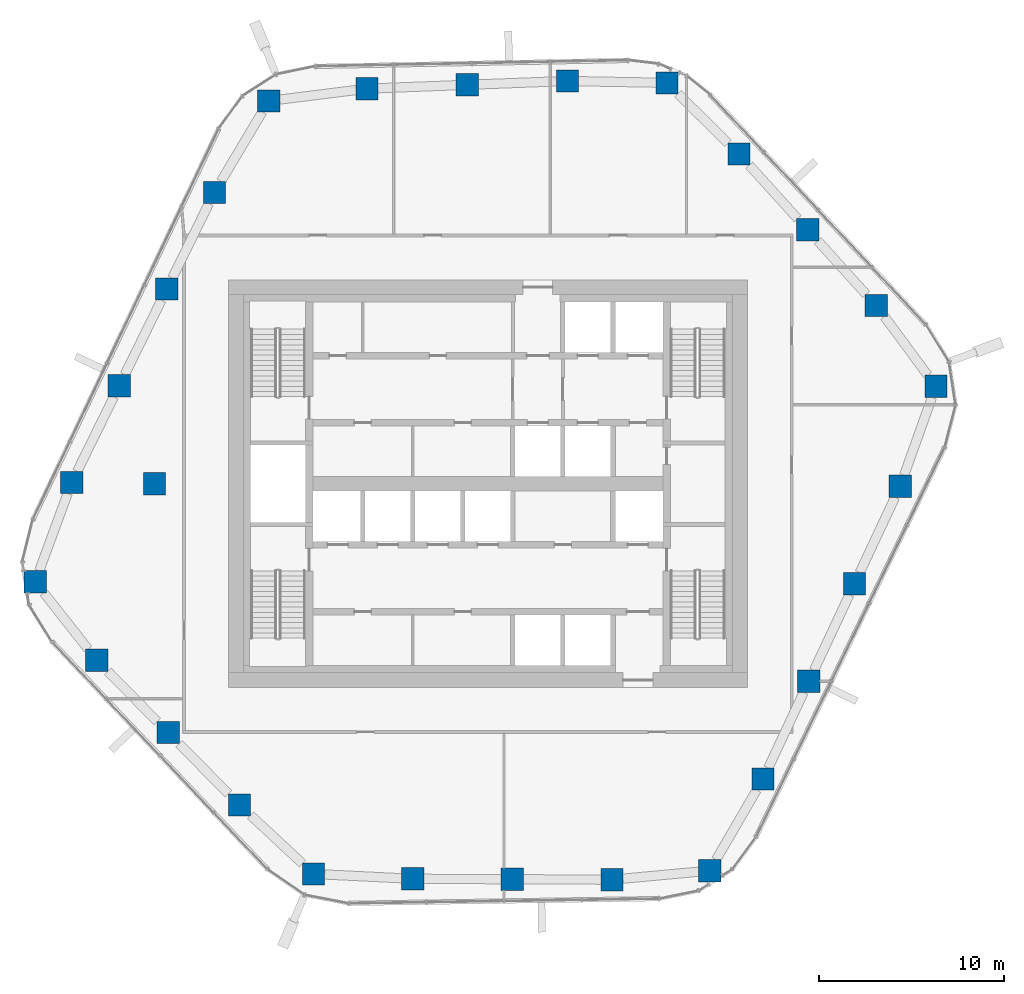
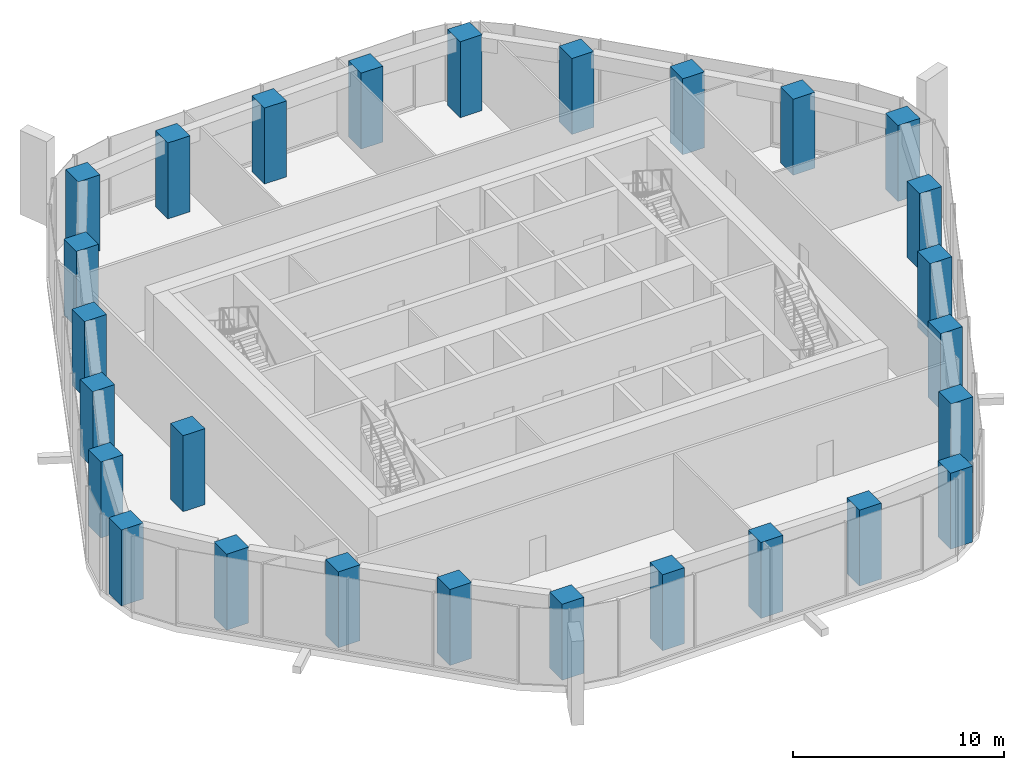
# One storey, part 1 of 16: 27 columns.
"""IFC4 building model written with IfcOpenShell, lengths in metres."""

from ifc_helpers import new_model, si_unit, direction, frame, origin, origin_2d, place, context, subcontext, project, spatial, rectangle, extrude, material, material_profile, profile_set, type_object, element, save


model = new_model("IFC4")

# Units and contexts
model_context = context("Model", 3, precision=1e-05, world=origin(), true_north=direction((0.0, 1.0)))
body_context = subcontext(model_context, "Body", "Model", "MODEL_VIEW")
ifc_project = project(units=[si_unit("LENGTHUNIT", "METRE"), si_unit("AREAUNIT", "SQUARE_METRE"), si_unit("VOLUMEUNIT", "CUBIC_METRE"), si_unit("PLANEANGLEUNIT", "RADIAN"), si_unit("MASSUNIT", "GRAM", prefix="KILO")], contexts=[model_context])

# Site, building, storey
site_placement = place(None, origin())
site = spatial("IfcSite", under=ifc_project, at=site_placement, CompositionType="ELEMENT")
building_placement = place(site_placement, origin())
building = spatial("IfcBuilding", under=site, at=building_placement, Name="Dongbaek Canopy Tower", CompositionType="ELEMENT")
storey_placement = place(building_placement, frame((0.0, 0.0, 215.60009765625)))
storey = spatial("IfcBuildingStorey", under=building, at=storey_placement, Name="L45", CompositionType="ELEMENT", Elevation=215.60009765625)

# Columns
ifc_material = material(Name="Concrete C70", Category="concrete")
ifc_material_profile = material_profile(ifc_material, rectangle(XDim=1.199951171875, YDim=1.199951171875, at=origin_2d()), Name="RC COLUMN 1200x1200 C70")
ifc_profile_set = profile_set([ifc_material_profile], Name="Concrete C70")
column_type = type_object("IfcColumnType", Name="RC COLUMN 1200x1200 C70", PredefinedType="COLUMN", material=ifc_profile_set)
for number, where, z_axis, x_axis, name in (
    (1, (11.971923828125, -20.885009765625, 0.0), (0.0, 0.0, 1.0), (1.0, 0.0, 0.0), "COL:CZ3-01:L45"),
    (2, (6.697998046875, -21.3720703125, 0.0), (0.0, 0.0, 1.0), (1.0, 0.0, 0.0), "COL:CZ3-02:L45"),
    (3, (1.321044921875, -21.347900390625, 0.0), (0.0, 0.0, 1.0), (1.0, 0.0, 0.0), "COL:CZ3-03:L45"),
    (4, (-4.054931640625, -21.323974609375, 0.0), (0.0, 0.0, 1.0), (1.0, 0.0, 0.0), "COL:CZ3-04:L45"),
    (5, (-9.407958984375, -21.06103515625, 0.0), (0.0, 0.0, 1.0), (1.0, 0.0, 0.0), "COL:CZ3-05:L45"),
    (6, (-13.409912109375, -17.339111328125, 0.0), (0.0, 0.0, 1.0), (1.0, 0.0, 0.0), "COL:CZ3-06:L45"),
    (7, (-17.258056640625, -13.431884765625, 0.0), (0.0, 0.0, 1.0), (1.0, 0.0, 0.0), "COL:CZ3-07:L45"),
    (8, (-21.10595703125, -9.52490234375, 0.0), (0.0, 0.0, 1.0), (1.0, 0.0, 0.0), "COL:CZ3-08:L45"),
    (9, (-24.43505859375, -5.2939453125, 0.0), (0.0, 0.0, 1.0), (1.0, 0.0, 0.0), "COL:CZ3-09:L45"),
    (10, (-22.4619140625, 0.06689453125, 0.0), (0.0, 0.0, 1.0), (1.0, 0.0, 0.0), "COL:CZ3-10:L45"),
    (11, (-19.89599609375, 5.287109375, 0.0), (0.0, 0.0, 1.0), (1.0, 0.0, 0.0), "COL:CZ3-11:L45"),
    (12, (-17.327880859375, 10.5048828125, 0.0), (0.0, 0.0, 1.0), (1.0, 0.0, 0.0), "COL:CZ3-12:L45"),
    (13, (-14.761962890625, 15.72412109375, 0.0), (0.0, 0.0, 1.0), (1.0, 0.0, 0.0), "COL:CZ3-13:L45"),
    (14, (-11.822998046875, 20.660888671875, 0.0), (0.0, 0.0, 1.0), (1.0, 0.0, 0.0), "COL:CZ3-14:L45"),
    (15, (-6.52197265625, 21.322998046875, 0.0), (0.0, 0.0, 1.0), (1.0, 0.0, 0.0), "COL:CZ3-15:L45"),
    (16, (-1.113037109375, 21.530029296875, 0.0), (0.0, 0.0, 1.0), (1.0, 0.0, 0.0), "COL:CZ3-16:L45"),
    (17, (4.294921875, 21.736083984375, 0.0), (0.0, 0.0, 1.0), (1.0, 0.0, 0.0), "COL:CZ3-17:L45"),
    (18, (9.666015625, 21.635009765625, 0.0), (0.0, 0.0, 1.0), (1.0, 0.0, 0.0), "COL:CZ3-18:L45"),
    (19, (13.56005859375, 17.7919921875, 0.0), (0.0, 0.0, 1.0), (1.0, 0.0, 0.0), "COL:CZ3-19:L45"),
    (20, (17.260986328125, 13.7060546875, 0.0), (0.0, 0.0, 1.0), (1.0, 0.0, 0.0), "COL:CZ3-20:L45"),
    (21, (20.9599609375, 9.62109375, 0.0), (0.0, 0.0, 1.0), (1.0, 0.0, 0.0), "COL:CZ3-21:L45"),
    (22, (24.179931640625, 5.257080078125, 0.0), (0.0, 0.0, 1.0), (1.0, 0.0, 0.0), "COL:CZ3-22:L45"),
    (23, (22.25390625, -0.134033203125, 0.0), (0.0, 0.0, 1.0), (1.0, 0.0, 0.0), "COL:CZ3-23:L45"),
    (24, (19.7880859375, -5.39892578125, 0.0), (0.0, 0.0, 1.0), (1.0, 0.0, 0.0), "COL:CZ3-24:L45"),
    (25, (17.322021484375, -10.666015625, 0.0), (0.0, 0.0, 1.0), (1.0, 0.0, 0.0), "COL:CZ3-25:L45"),
    (26, (14.85498046875, -15.931884765625, 0.0), (0.0, 0.0, 1.0), (1.0, 0.0, 0.0), "COL:CZ3-26:L45"),
    (27, (-18.0, 0.0, 0.0), (0.0, 0.0, 1.0), (1.0, 0.0, 0.0), "COL:CIZ3-01:L45"),
):
    element("IfcColumn", number, at=place(storey_placement, frame(where, z_axis=z_axis, x_axis=x_axis)), inside=storey, type_object=column_type, Name=name, PredefinedType="COLUMN", context=body_context, shape_type="SweptSolid", body=[
        extrude(rectangle(XDim=1.199951171875, YDim=1.199951171875, at=origin_2d()), origin(), (0.0, 0.0, 1.0), 4.39990234375),
    ])

save(model, "model.ifc")
